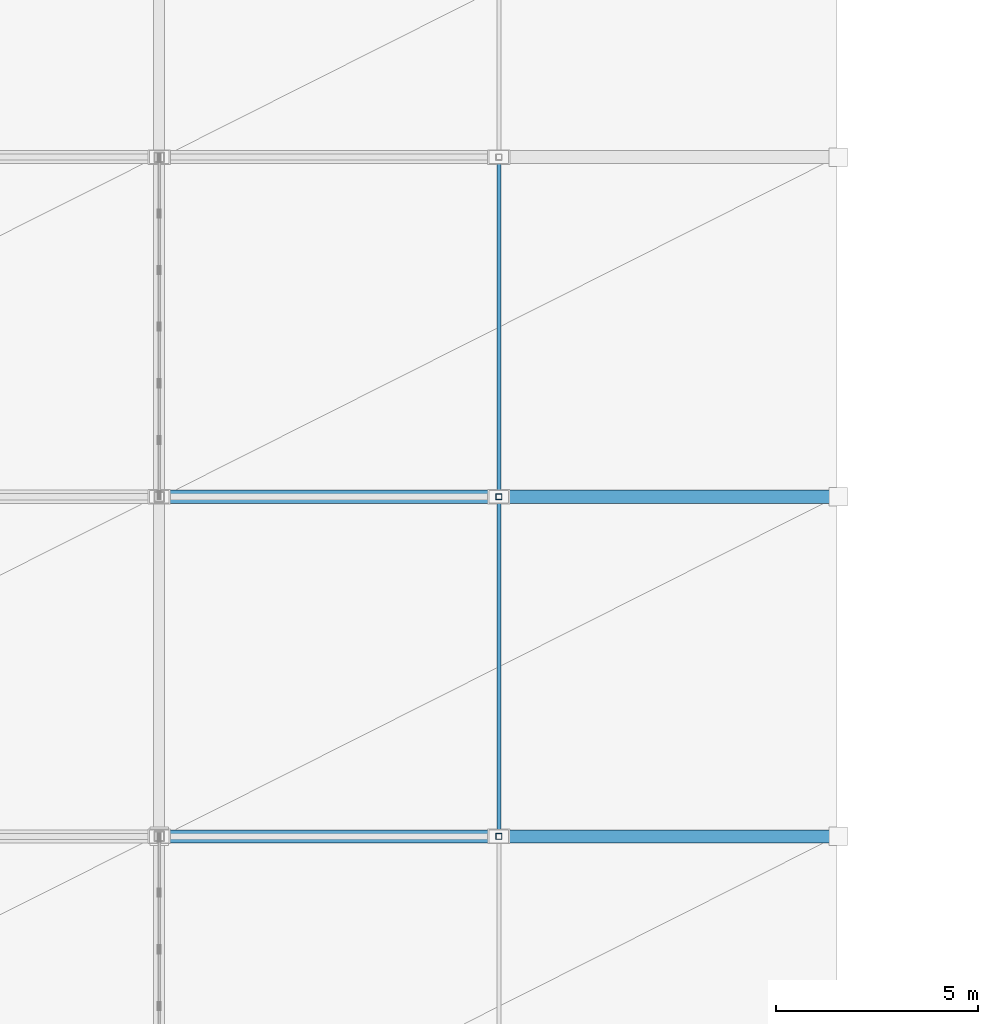
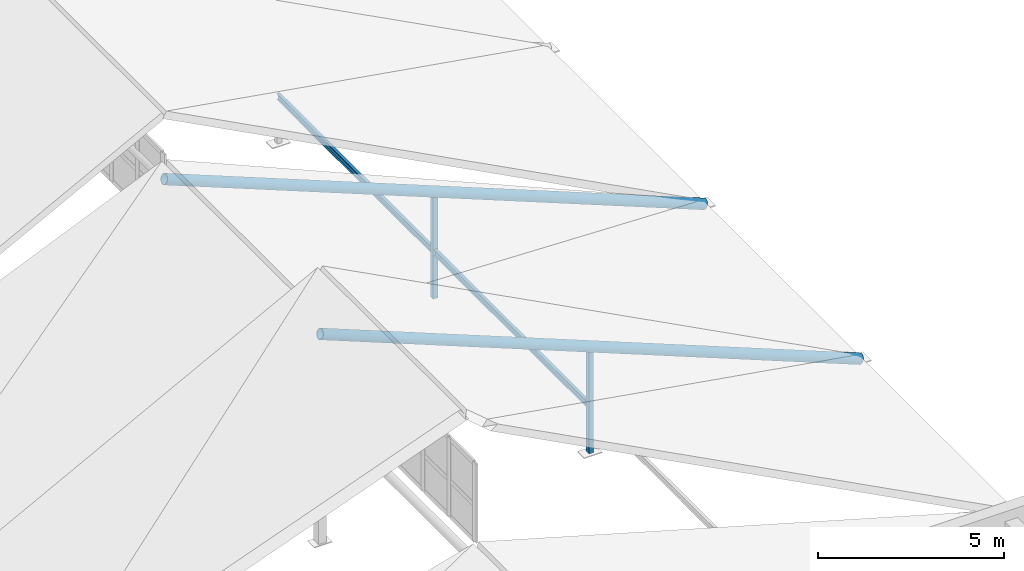
# One storey, part 22 of 76: 6 members.
"""IFC4 building model written with IfcOpenShell, lengths in metres."""

from ifc_helpers import new_model, si_unit, direction, frame, origin, origin_2d, place, context, subcontext, project, spatial, hollow_rectangle, hollow_circle, i_section, extrude, material, material_profile, profile_set, type_object, element, save


model = new_model("IFC4")

# Units and contexts
model_context = context("Model", 3, precision=1e-05, world=origin(), true_north=direction((0.0, 1.0)))
body_context = subcontext(model_context, "Body", "Model", "MODEL_VIEW")
ifc_project = project(units=[si_unit("LENGTHUNIT", "METRE"), si_unit("AREAUNIT", "SQUARE_METRE"), si_unit("VOLUMEUNIT", "CUBIC_METRE"), si_unit("PLANEANGLEUNIT", "RADIAN"), si_unit("MASSUNIT", "GRAM", prefix="KILO")], contexts=[model_context])

# Site, building, storey
site_placement = place(None, origin())
site = spatial("IfcSite", under=ifc_project, at=site_placement, CompositionType="ELEMENT")
building_placement = place(site_placement, origin())
building = spatial("IfcBuilding", under=site, at=building_placement, Name="Krzemoval Escarpment Law Courts", CompositionType="ELEMENT")
storey_placement = place(building_placement, frame((0.0, 0.0, 20.39990234375)))
storey = spatial("IfcBuildingStorey", under=building, at=storey_placement, Name="L04", CompositionType="ELEMENT", Elevation=20.39990234375)

# Members
ifc_material_1 = material(Name="Steel S355", Category="steel")
ifc_material_profile_1 = material_profile(ifc_material_1, hollow_circle(Radius=0.161865234375, WallThickness=0.01611328125, at=origin_2d()), Name="CHS 323.9x16")
ifc_profile_set_1 = profile_set([ifc_material_profile_1], Name="Steel S355")
member_type_1 = type_object("IfcMemberType", Name="MBR-CHD-CHS324", PredefinedType="CHORD", material=ifc_profile_set_1)
for number, where, z_axis, x_axis, name in (
    (1, (25.199951171875, 49.199951171875, 6.550048828125), (0.928858805287, 0.0, -0.370433961511), (0.0, 1.0, 0.0), "Roof Rafter Chord TC-0017"),
    (2, (25.199951171875, 57.60009765625, 6.550048828125), (0.928858805287, 0.0, -0.370433961511), (0.0, 1.0, 0.0), "Roof Rafter Chord TC-0023"),
):
    element("IfcMember", number, at=place(storey_placement, frame(where, z_axis=z_axis, x_axis=x_axis)), inside=storey, type_object=member_type_1, Name=name, PredefinedType="CHORD", context=body_context, shape_type="SweptSolid", body=[
        extrude(hollow_circle(Radius=0.161865234375, WallThickness=0.01611328125, at=origin_2d()), origin(), (0.0, 0.0, 1.0), 18.086669921875),
    ])
ifc_material_2 = material(Name="Steel S355", Category="steel")
ifc_material_profile_2 = material_profile(ifc_material_2, i_section(OverallWidth=0.10009765625, OverallDepth=0.199951171875, WebThickness=0.005615234375, FlangeThickness=0.008544921875, at=origin_2d()), Name="IPE 200")
ifc_profile_set_2 = profile_set([ifc_material_profile_2], Name="Steel S355")
member_type_2 = type_object("IfcMemberType", Name="MBR-PUR-IPE200", PredefinedType="PURLIN", material=ifc_profile_set_2)
member_1_placement = place(storey_placement, frame((33.60009765625, 49.199951171875, 1.25), z_axis=(0.0, 1.0, 0.0), x_axis=(-1.0, 0.0, 0.0)))
element("IfcMember", 3, at=member_1_placement, inside=storey, type_object=member_type_2, Name="Roof Purlin PR-0063", PredefinedType="PURLIN", context=body_context, shape_type="SweptSolid", body=[
    extrude(i_section(OverallWidth=0.10009765625, OverallDepth=0.199951171875, WebThickness=0.005615234375, FlangeThickness=0.008544921875, at=origin_2d()), origin(), (0.0, 0.0, 1.0), 8.400146484375),
])
member_2_placement = place(storey_placement, frame((33.60009765625, 57.60009765625, 1.25), z_axis=(0.0, 1.0, 0.0), x_axis=(-1.0, 0.0, 0.0)))
element("IfcMember", 4, at=member_2_placement, inside=storey, type_object=member_type_2, Name="Roof Purlin PR-0066", PredefinedType="PURLIN", context=body_context, shape_type="SweptSolid", body=[
    extrude(i_section(OverallWidth=0.10009765625, OverallDepth=0.199951171875, WebThickness=0.005615234375, FlangeThickness=0.008544921875, at=origin_2d()), origin(), (0.0, 0.0, 1.0), 8.39990234375),
])
ifc_material_3 = material(Name="Steel S355", Category="steel")
ifc_material_profile_3 = material_profile(ifc_material_3, hollow_rectangle(XDim=0.14990234375, YDim=0.14990234375, WallThickness=0.008056640625, at=origin_2d()), Name="SHS 150x150x8")
ifc_profile_set_3 = profile_set([ifc_material_profile_3], Name="Steel S355")
member_type_3 = type_object("IfcMemberType", Name="MBR-STR-SHS150", PredefinedType="STRUT", material=ifc_profile_set_3)
for number, where, z_axis, x_axis, name in (
    (5, (33.60009765625, 49.199951171875, -0.27978515625), (0.0, 0.0, 1.0), (1.0, 0.0, 0.0), "Roof Truss Web Strut ST-0015"),
    (6, (33.60009765625, 57.60009765625, -0.27978515625), (0.0, 0.0, 1.0), (1.0, 0.0, 0.0), "Roof Truss Web Strut ST-0021"),
):
    element("IfcMember", number, at=place(storey_placement, frame(where, z_axis=z_axis, x_axis=x_axis)), inside=storey, type_object=member_type_3, Name=name, PredefinedType="STRUT", context=body_context, shape_type="SweptSolid", body=[
        extrude(hollow_rectangle(XDim=0.14990234375, YDim=0.14990234375, WallThickness=0.008056640625, at=origin_2d()), origin(), (0.0, 0.0, 1.0), 3.47998046875),
    ])

save(model, "model.ifc")
